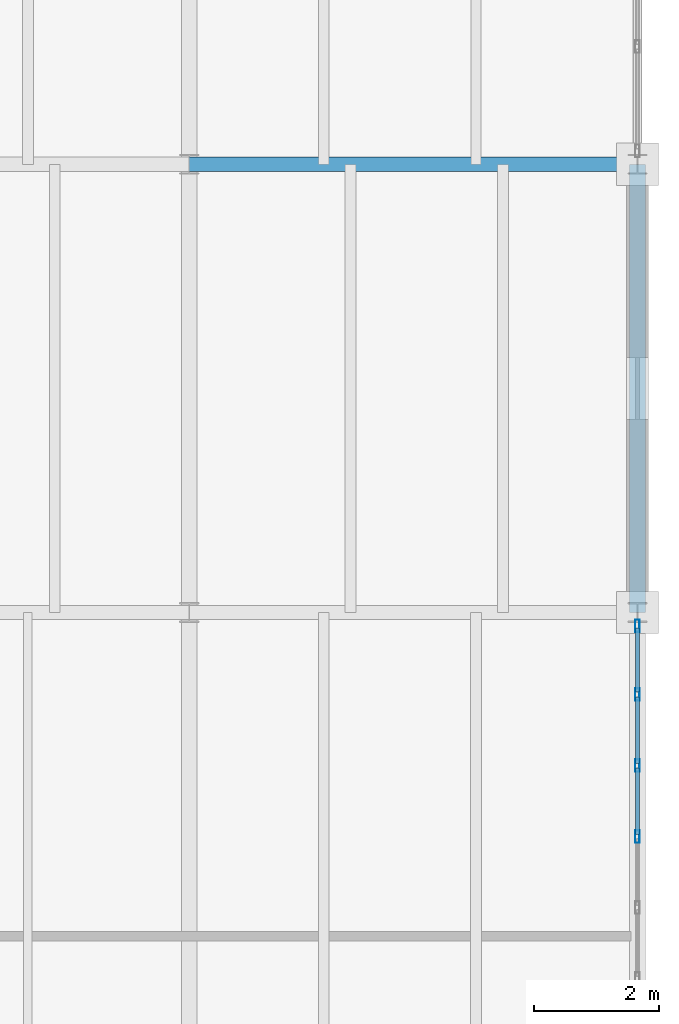
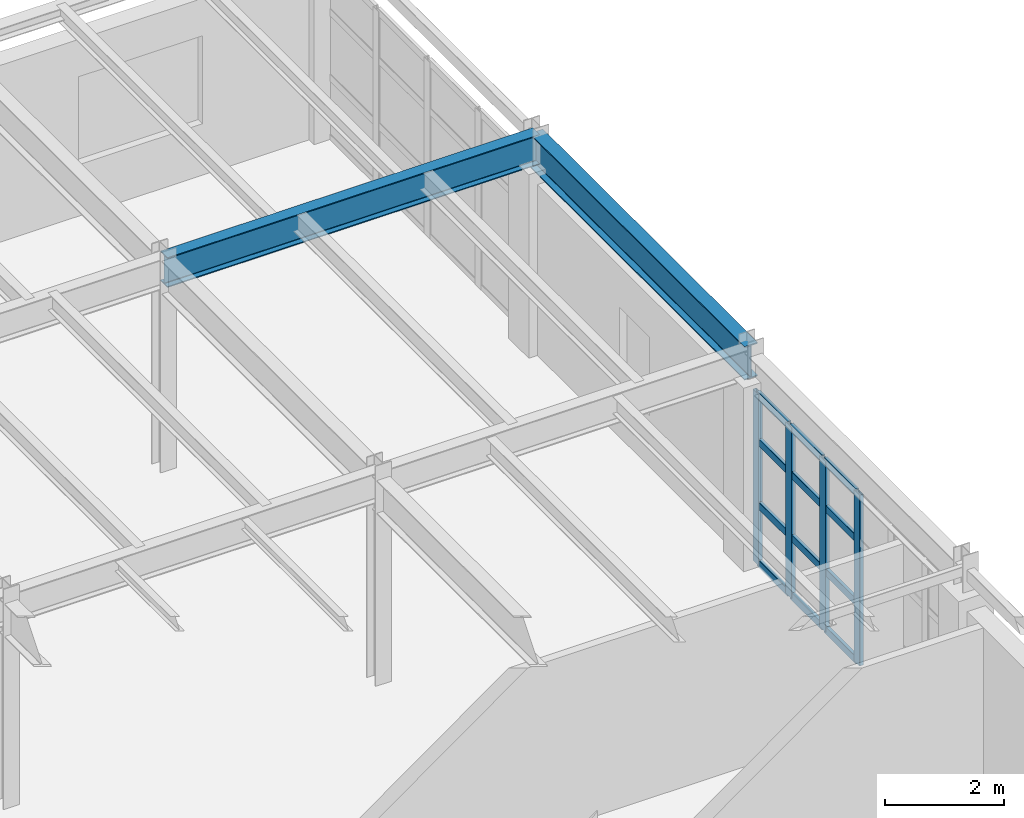
# One storey, part 99 of 137: 16 members, 2 beams, 1 element without a shape of its own.
"""IFC4 building model written with IfcOpenShell, lengths in metres."""

from ifc_helpers import new_model, si_unit, direction, frame, origin, origin_2d, place, context, subcontext, project, spatial, hollow_rectangle, i_section, extrude, material, layer, layer_set, material_profile, profile_set, type_object, element, aggregate, save


model = new_model("IFC4")

# Units and contexts
model_context = context("Model", 3, precision=1e-05, world=origin(), true_north=direction((0.0, 1.0)))
body_context = subcontext(model_context, "Body", "Model", "MODEL_VIEW")
ifc_project = project(units=[si_unit("LENGTHUNIT", "METRE"), si_unit("AREAUNIT", "SQUARE_METRE"), si_unit("VOLUMEUNIT", "CUBIC_METRE"), si_unit("PLANEANGLEUNIT", "RADIAN"), si_unit("MASSUNIT", "GRAM", prefix="KILO")], contexts=[model_context])

# Site, building, storey
site_placement = place(None, origin())
site = spatial("IfcSite", under=ifc_project, at=site_placement, CompositionType="ELEMENT")
building_placement = place(site_placement, origin())
building = spatial("IfcBuilding", under=site, at=building_placement, Name="Kemerveld Promenade Tramway Depot", CompositionType="ELEMENT")
storey_placement = place(building_placement, frame((0.0, 0.0, 5.39990234375)))
storey = spatial("IfcBuildingStorey", under=building, at=storey_placement, Name="L01", CompositionType="ELEMENT", Elevation=5.39990234375)

# Beams
ifc_material_1 = material(Name="Steel S355", Category="steel")
ifc_material_profile_1 = material_profile(ifc_material_1, i_section(OverallWidth=0.25439453125, OverallDepth=0.6875, WebThickness=0.01318359375, FlangeThickness=0.02099609375, FilletRadius=0.01513671875, at=origin_2d()), Name="686x254x152 UB")
ifc_profile_set_1 = profile_set([ifc_material_profile_1], Name="Steel S355")
beam_type_1 = type_object("IfcBeamType", Name="BM-G03", PredefinedType="BEAM", material=ifc_profile_set_1)
beam_1_placement = place(storey_placement, frame((216.0, 36.0, 3.976318359375), z_axis=(0.0, 1.0, 0.0), x_axis=(-1.0, 0.0, 0.0)))
element("IfcBeam", 1, at=beam_1_placement, inside=storey, type_object=beam_type_1, Name="BMY-L01-31-F-G", PredefinedType="BEAM", context=body_context, shape_type="SweptSolid", body=[
    extrude(i_section(OverallWidth=0.25439453125, OverallDepth=0.6875, WebThickness=0.01318359375, FlangeThickness=0.02099609375, FilletRadius=0.01513671875, at=origin_2d()), origin(), (0.0, 0.0, 1.0), 7.199951171875),
])
ifc_material_profile_2 = material_profile(ifc_material_1, i_section(OverallWidth=0.22900390625, OverallDepth=0.6123046875, WebThickness=0.011962890625, FlangeThickness=0.01953125, FilletRadius=0.0126953125, at=origin_2d()), Name="610x229x125 UB")
ifc_profile_set_2 = profile_set([ifc_material_profile_2], Name="Steel S355")
beam_type_2 = type_object("IfcBeamType", Name="BM-G04", PredefinedType="BEAM", material=ifc_profile_set_2)
beam_2_placement = place(storey_placement, frame((208.800048828125, 43.199951171875, 4.013916015625), z_axis=(1.0, 0.0, 0.0), x_axis=(0.0, 1.0, 0.0)))
element("IfcBeam", 2, at=beam_2_placement, inside=storey, type_object=beam_type_2, Name="BMX-L01-30-31-G", PredefinedType="BEAM", context=body_context, shape_type="SweptSolid", body=[
    extrude(i_section(OverallWidth=0.22900390625, OverallDepth=0.6123046875, WebThickness=0.011962890625, FlangeThickness=0.01953125, FilletRadius=0.0126953125, at=origin_2d()), origin(), (0.0, 0.0, 1.0), 7.199951171875),
])

# Curtain wall, members
ifc_material_2 = material(Name="Bronze anodised aluminium and solar glass", Category="aluminium")
ifc_layer = layer(ifc_material_2, 0.199951171875)
ifc_layer_set = layer_set([ifc_layer], Name="CW-SYS-06")
curtain_wall_type = type_object("IfcCurtainWallType", Name="CW-SYS-06", PredefinedType="USERDEFINED", material=ifc_layer_set)
curtain_wall_placement = place(storey_placement, origin())
curtain_wall = element("IfcCurtainWall", 3, at=curtain_wall_placement, inside=storey, type_object=curtain_wall_type, Name="CW-L01-V2E-03", ObjectType="GLAZED_CURTAIN_WALL", PredefinedType="USERDEFINED")
ifc_material_3 = material(Name="Bronze anodised aluminium", Category="aluminium")
ifc_material_profile_3 = material_profile(ifc_material_3, hollow_rectangle(XDim=0.074951171875, YDim=0.199951171875, WallThickness=0.0048828125, InnerFilletRadius=0.001953125, OuterFilletRadius=0.0048828125, at=origin_2d()), Name="CW-MUL-200x75")
ifc_profile_set_3 = profile_set([ifc_material_profile_3], Name="Bronze anodised aluminium")
member_type_1 = type_object("IfcMemberType", Name="CW-MUL-B", PredefinedType="MULLION", material=ifc_profile_set_3)
member_1_placement = place(storey_placement, frame((216.0, 35.78515625, 0.0), z_axis=(0.0, 0.0, 1.0), x_axis=(1.0, 0.0, 0.0)))
member_1 = element("IfcMember", 4, at=member_1_placement, type_object=member_type_1, Name="CW06 mullion 1", PredefinedType="MULLION", context=body_context, shape_type="SweptSolid", body=[
    extrude(hollow_rectangle(XDim=0.074951171875, YDim=0.199951171875, WallThickness=0.0048828125, InnerFilletRadius=0.001953125, OuterFilletRadius=0.0048828125, at=origin_2d()), origin(), (0.0, 0.0, 1.0), 3.49267578125),
])
member_2_placement = place(storey_placement, frame((216.0, 34.681884765625, 0.0), z_axis=(0.0, 0.0, 1.0), x_axis=(1.0, 0.0, 0.0)))
member_2 = element("IfcMember", 5, at=member_2_placement, type_object=member_type_1, Name="CW06 mullion 2", PredefinedType="MULLION", context=body_context, shape_type="SweptSolid", body=[
    extrude(hollow_rectangle(XDim=0.074951171875, YDim=0.199951171875, WallThickness=0.0048828125, InnerFilletRadius=0.001953125, OuterFilletRadius=0.0048828125, at=origin_2d()), origin(), (0.0, 0.0, 1.0), 3.49267578125),
])
member_3_placement = place(storey_placement, frame((216.0, 33.541015625, 0.0), z_axis=(0.0, 0.0, 1.0), x_axis=(1.0, 0.0, 0.0)))
member_3 = element("IfcMember", 6, at=member_3_placement, type_object=member_type_1, Name="CW06 mullion 3", PredefinedType="MULLION", context=body_context, shape_type="SweptSolid", body=[
    extrude(hollow_rectangle(XDim=0.074951171875, YDim=0.199951171875, WallThickness=0.0048828125, InnerFilletRadius=0.001953125, OuterFilletRadius=0.0048828125, at=origin_2d()), origin(), (0.0, 0.0, 1.0), 3.49267578125),
])
member_4_placement = place(storey_placement, frame((216.0, 32.39990234375, 0.0), z_axis=(0.0, 0.0, 1.0), x_axis=(1.0, 0.0, 0.0)))
member_4 = element("IfcMember", 7, at=member_4_placement, type_object=member_type_1, Name="CW06 mullion 4", PredefinedType="MULLION", context=body_context, shape_type="SweptSolid", body=[
    extrude(hollow_rectangle(XDim=0.074951171875, YDim=0.199951171875, WallThickness=0.0048828125, InnerFilletRadius=0.001953125, OuterFilletRadius=0.0048828125, at=origin_2d()), origin(), (0.0, 0.0, 1.0), 3.49267578125),
])
ifc_material_profile_4 = material_profile(ifc_material_3, hollow_rectangle(XDim=0.06494140625, YDim=0.14990234375, WallThickness=0.00439453125, InnerFilletRadius=0.001953125, OuterFilletRadius=0.00439453125, at=origin_2d()), Name="CW-TRN-150x65")
ifc_profile_set_4 = profile_set([ifc_material_profile_4], Name="Bronze anodised aluminium")
member_type_2 = type_object("IfcMemberType", Name="CW-TRN-B", PredefinedType="USERDEFINED", material=ifc_profile_set_4)
member_5_placement = place(storey_placement, frame((216.0, 35.747802734375, 0.03271484375), z_axis=(0.0, -1.0, 0.0), x_axis=(1.0, 0.0, 0.0)))
member_5 = element("IfcMember", 8, at=member_5_placement, type_object=member_type_2, Name="CW06 transom 1.1", ObjectType="TRANSOM", PredefinedType="USERDEFINED", context=body_context, shape_type="SweptSolid", body=[
    extrude(hollow_rectangle(XDim=0.06494140625, YDim=0.14990234375, WallThickness=0.00439453125, InnerFilletRadius=0.001953125, OuterFilletRadius=0.00439453125, at=origin_2d()), origin(), (0.0, 0.0, 1.0), 1.028564453125),
])
member_6_placement = place(storey_placement, frame((216.0, 35.747802734375, 1.22216796875), z_axis=(0.0, -1.0, 0.0), x_axis=(1.0, 0.0, 0.0)))
member_6 = element("IfcMember", 9, at=member_6_placement, type_object=member_type_2, Name="CW06 transom 1.2", ObjectType="TRANSOM", PredefinedType="USERDEFINED", context=body_context, shape_type="SweptSolid", body=[
    extrude(hollow_rectangle(XDim=0.06494140625, YDim=0.14990234375, WallThickness=0.00439453125, InnerFilletRadius=0.001953125, OuterFilletRadius=0.00439453125, at=origin_2d()), origin(), (0.0, 0.0, 1.0), 1.028564453125),
])
member_7_placement = place(storey_placement, frame((216.0, 35.747802734375, 2.51513671875), z_axis=(0.0, -1.0, 0.0), x_axis=(1.0, 0.0, 0.0)))
member_7 = element("IfcMember", 10, at=member_7_placement, type_object=member_type_2, Name="CW06 transom 1.3", ObjectType="TRANSOM", PredefinedType="USERDEFINED", context=body_context, shape_type="SweptSolid", body=[
    extrude(hollow_rectangle(XDim=0.06494140625, YDim=0.14990234375, WallThickness=0.00439453125, InnerFilletRadius=0.001953125, OuterFilletRadius=0.00439453125, at=origin_2d()), origin(), (0.0, 0.0, 1.0), 1.028564453125),
])
member_8_placement = place(storey_placement, frame((216.0, 35.747802734375, 3.460205078125), z_axis=(0.0, -1.0, 0.0), x_axis=(1.0, 0.0, 0.0)))
member_8 = element("IfcMember", 11, at=member_8_placement, type_object=member_type_2, Name="CW06 transom 1.4", ObjectType="TRANSOM", PredefinedType="USERDEFINED", context=body_context, shape_type="SweptSolid", body=[
    extrude(hollow_rectangle(XDim=0.06494140625, YDim=0.14990234375, WallThickness=0.00439453125, InnerFilletRadius=0.001953125, OuterFilletRadius=0.00439453125, at=origin_2d()), origin(), (0.0, 0.0, 1.0), 1.028564453125),
])
member_9_placement = place(storey_placement, frame((216.0, 34.644287109375, 0.03271484375), z_axis=(0.0, -1.0, 0.0), x_axis=(1.0, 0.0, 0.0)))
member_9 = element("IfcMember", 12, at=member_9_placement, type_object=member_type_2, Name="CW06 transom 2.1", ObjectType="TRANSOM", PredefinedType="USERDEFINED", context=body_context, shape_type="SweptSolid", body=[
    extrude(hollow_rectangle(XDim=0.06494140625, YDim=0.14990234375, WallThickness=0.00439453125, InnerFilletRadius=0.001953125, OuterFilletRadius=0.00439453125, at=origin_2d()), origin(), (0.0, 0.0, 1.0), 1.06591796875),
])
member_10_placement = place(storey_placement, frame((216.0, 34.644287109375, 1.22216796875), z_axis=(0.0, -1.0, 0.0), x_axis=(1.0, 0.0, 0.0)))
member_10 = element("IfcMember", 13, at=member_10_placement, type_object=member_type_2, Name="CW06 transom 2.2", ObjectType="TRANSOM", PredefinedType="USERDEFINED", context=body_context, shape_type="SweptSolid", body=[
    extrude(hollow_rectangle(XDim=0.06494140625, YDim=0.14990234375, WallThickness=0.00439453125, InnerFilletRadius=0.001953125, OuterFilletRadius=0.00439453125, at=origin_2d()), origin(), (0.0, 0.0, 1.0), 1.06591796875),
])
member_11_placement = place(storey_placement, frame((216.0, 34.644287109375, 2.51513671875), z_axis=(0.0, -1.0, 0.0), x_axis=(1.0, 0.0, 0.0)))
member_11 = element("IfcMember", 14, at=member_11_placement, type_object=member_type_2, Name="CW06 transom 2.3", ObjectType="TRANSOM", PredefinedType="USERDEFINED", context=body_context, shape_type="SweptSolid", body=[
    extrude(hollow_rectangle(XDim=0.06494140625, YDim=0.14990234375, WallThickness=0.00439453125, InnerFilletRadius=0.001953125, OuterFilletRadius=0.00439453125, at=origin_2d()), origin(), (0.0, 0.0, 1.0), 1.06591796875),
])
member_12_placement = place(storey_placement, frame((216.0, 34.644287109375, 3.460205078125), z_axis=(0.0, -1.0, 0.0), x_axis=(1.0, 0.0, 0.0)))
member_12 = element("IfcMember", 15, at=member_12_placement, type_object=member_type_2, Name="CW06 transom 2.4", ObjectType="TRANSOM", PredefinedType="USERDEFINED", context=body_context, shape_type="SweptSolid", body=[
    extrude(hollow_rectangle(XDim=0.06494140625, YDim=0.14990234375, WallThickness=0.00439453125, InnerFilletRadius=0.001953125, OuterFilletRadius=0.00439453125, at=origin_2d()), origin(), (0.0, 0.0, 1.0), 1.06591796875),
])
member_13_placement = place(storey_placement, frame((216.0, 33.50341796875, 0.03271484375), z_axis=(0.0, -1.0, 0.0), x_axis=(1.0, 0.0, 0.0)))
member_13 = element("IfcMember", 16, at=member_13_placement, type_object=member_type_2, Name="CW06 transom 3.1", ObjectType="TRANSOM", PredefinedType="USERDEFINED", context=body_context, shape_type="SweptSolid", body=[
    extrude(hollow_rectangle(XDim=0.06494140625, YDim=0.14990234375, WallThickness=0.00439453125, InnerFilletRadius=0.001953125, OuterFilletRadius=0.00439453125, at=origin_2d()), origin(), (0.0, 0.0, 1.0), 1.06591796875),
])
member_14_placement = place(storey_placement, frame((216.0, 33.50341796875, 1.22216796875), z_axis=(0.0, -1.0, 0.0), x_axis=(1.0, 0.0, 0.0)))
member_14 = element("IfcMember", 17, at=member_14_placement, type_object=member_type_2, Name="CW06 transom 3.2", ObjectType="TRANSOM", PredefinedType="USERDEFINED", context=body_context, shape_type="SweptSolid", body=[
    extrude(hollow_rectangle(XDim=0.06494140625, YDim=0.14990234375, WallThickness=0.00439453125, InnerFilletRadius=0.001953125, OuterFilletRadius=0.00439453125, at=origin_2d()), origin(), (0.0, 0.0, 1.0), 1.06591796875),
])
member_15_placement = place(storey_placement, frame((216.0, 33.50341796875, 2.51513671875), z_axis=(0.0, -1.0, 0.0), x_axis=(1.0, 0.0, 0.0)))
member_15 = element("IfcMember", 18, at=member_15_placement, type_object=member_type_2, Name="CW06 transom 3.3", ObjectType="TRANSOM", PredefinedType="USERDEFINED", context=body_context, shape_type="SweptSolid", body=[
    extrude(hollow_rectangle(XDim=0.06494140625, YDim=0.14990234375, WallThickness=0.00439453125, InnerFilletRadius=0.001953125, OuterFilletRadius=0.00439453125, at=origin_2d()), origin(), (0.0, 0.0, 1.0), 1.06591796875),
])
member_16_placement = place(storey_placement, frame((216.0, 33.50341796875, 3.460205078125), z_axis=(0.0, -1.0, 0.0), x_axis=(1.0, 0.0, 0.0)))
member_16 = element("IfcMember", 19, at=member_16_placement, type_object=member_type_2, Name="CW06 transom 3.4", ObjectType="TRANSOM", PredefinedType="USERDEFINED", context=body_context, shape_type="SweptSolid", body=[
    extrude(hollow_rectangle(XDim=0.06494140625, YDim=0.14990234375, WallThickness=0.00439453125, InnerFilletRadius=0.001953125, OuterFilletRadius=0.00439453125, at=origin_2d()), origin(), (0.0, 0.0, 1.0), 1.06591796875),
])
aggregate(curtain_wall, [member_1, member_2, member_3, member_4, member_5, member_6, member_7, member_8, member_9, member_10, member_11, member_12, member_13, member_14, member_15, member_16])

save(model, "model.ifc")
